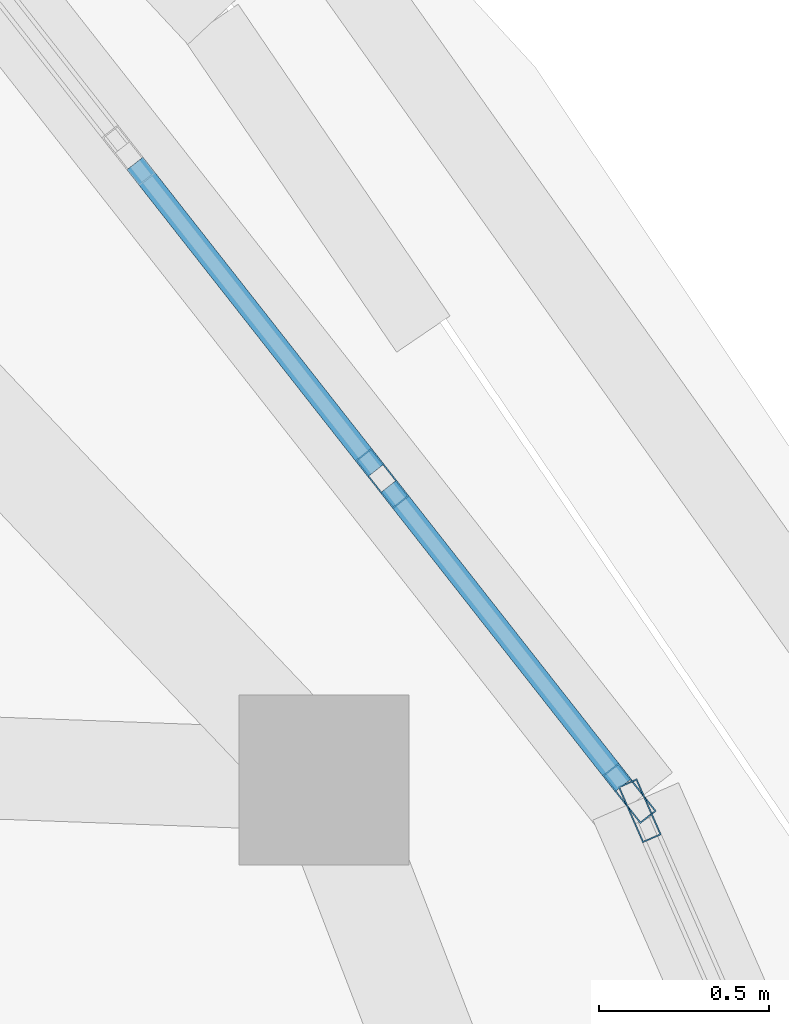
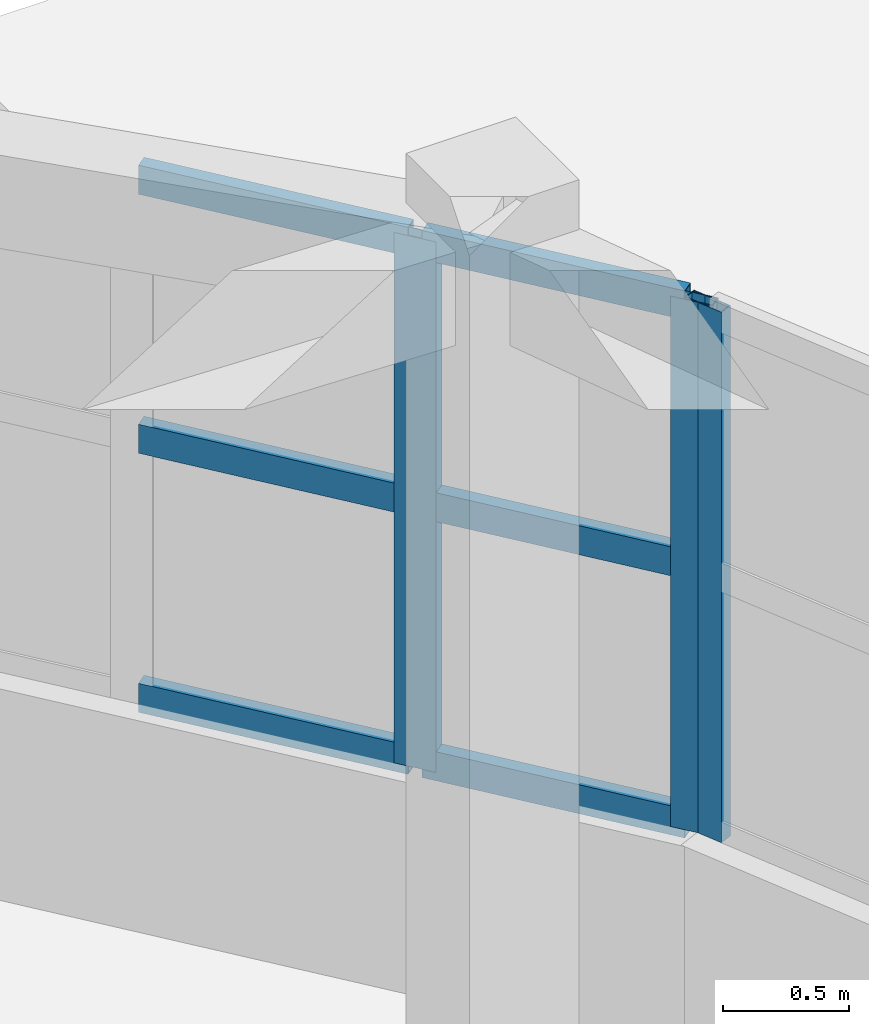
# One storey, part 19 of 38: 9 members, 2 elements without a shape of their own.
"""IFC4 building model written with IfcOpenShell, lengths in metres."""

from ifc_helpers import new_model, si_unit, direction, frame, origin, origin_2d, place, context, subcontext, project, spatial, hollow_rectangle, extrude, material, layer, layer_set, material_profile, profile_set, type_object, element, aggregate, save


model = new_model("IFC4")

# Units and contexts
model_context = context("Model", 3, precision=1e-05, world=origin(), true_north=direction((0.0, 1.0)))
body_context = subcontext(model_context, "Body", "Model", "MODEL_VIEW")
ifc_project = project(units=[si_unit("LENGTHUNIT", "METRE"), si_unit("AREAUNIT", "SQUARE_METRE"), si_unit("VOLUMEUNIT", "CUBIC_METRE"), si_unit("PLANEANGLEUNIT", "RADIAN"), si_unit("MASSUNIT", "GRAM", prefix="KILO")], contexts=[model_context])

# Site, building, storey
site_placement = place(None, origin())
site = spatial("IfcSite", under=ifc_project, at=site_placement, CompositionType="ELEMENT")
building_placement = place(site_placement, origin())
building = spatial("IfcBuilding", under=site, at=building_placement, Name="Pelvatis Terrace Science Centre", CompositionType="ELEMENT")
storey_placement = place(building_placement, frame((0.0, 0.0, 24.300048828125)))
storey = spatial("IfcBuildingStorey", under=building, at=storey_placement, Name="L05", CompositionType="ELEMENT", Elevation=24.300048828125)

# Curtain wall, member
ifc_material_1 = material(Name="Bronze-anodised aluminium and laminated glass", Category="aluminium")
ifc_layer = layer(ifc_material_1, 0.179931640625)
ifc_layer_set = layer_set([ifc_layer], Name="Bronze-anodised aluminium and laminated glass")
curtain_wall_type = type_object("IfcCurtainWallType", Name="CW-RIBBON-A", PredefinedType="NOTDEFINED", material=ifc_layer_set)
curtain_wall_1_placement = place(storey_placement, origin())
curtain_wall_1 = element("IfcCurtainWall", 1, at=curtain_wall_1_placement, inside=storey, type_object=curtain_wall_type, Name="Ribbon curtain wall CW-238 (L05)", PredefinedType="NOTDEFINED")
ifc_material_2 = material(Name="Bronze-anodised aluminium 6063-T6", Category="aluminium")
ifc_material_profile_1 = material_profile(ifc_material_2, hollow_rectangle(XDim=0.06005859375, YDim=0.179931640625, WallThickness=0.00390625, at=origin_2d()), Name="ALU-MUL 60x180")
ifc_profile_set_1 = profile_set([ifc_material_profile_1], Name="Bronze-anodised aluminium 6063-T6")
member_type_1 = type_object("IfcMemberType", Name="CWM-60x180", PredefinedType="MULLION", material=ifc_profile_set_1)
member_1_placement = place(storey_placement, frame((131.78125, 93.871826171875, 1.02001953125), z_axis=(0.0, 0.0, 1.0), x_axis=(-0.916274899341, -0.400550007911, 0.0)))
member_1 = element("IfcMember", 2, at=member_1_placement, type_object=member_type_1, Name="CW-238 mullion 4", PredefinedType="MULLION", context=body_context, shape_type="SweptSolid", body=[
    extrude(hollow_rectangle(XDim=0.06005859375, YDim=0.179931640625, WallThickness=0.00390625, at=origin_2d()), origin(), (0.0, 0.0, 1.0), 2.559814453125),
])
aggregate(curtain_wall_1, [member_1])

# Curtain wall, members
curtain_wall_2_placement = place(storey_placement, origin())
curtain_wall_2 = element("IfcCurtainWall", 3, at=curtain_wall_2_placement, inside=storey, type_object=curtain_wall_type, Name="Ribbon curtain wall CW-239 (L05)", PredefinedType="NOTDEFINED")
member_2_placement = place(storey_placement, frame((131.750732421875, 93.923095703125, 1.02001953125), z_axis=(0.0, 0.0, 1.0), x_axis=(-0.786576740286, -0.617492535697, 0.0)))
member_2 = element("IfcMember", 4, at=member_2_placement, type_object=member_type_1, Name="CW-239 mullion 1", PredefinedType="MULLION", context=body_context, shape_type="SweptSolid", body=[
    extrude(hollow_rectangle(XDim=0.06005859375, YDim=0.179931640625, WallThickness=0.00390625, at=origin_2d()), origin(), (0.0, 0.0, 1.0), 2.559814453125),
])
member_3_placement = place(storey_placement, frame((131.023193359375, 94.849853515625, 1.02001953125), z_axis=(0.0, 0.0, 1.0), x_axis=(-0.786576740286, -0.617492535697, 0.0)))
member_3 = element("IfcMember", 5, at=member_3_placement, type_object=member_type_1, Name="CW-239 mullion 2", PredefinedType="MULLION", context=body_context, shape_type="SweptSolid", body=[
    extrude(hollow_rectangle(XDim=0.06005859375, YDim=0.179931640625, WallThickness=0.00390625, at=origin_2d()), origin(), (0.0, 0.0, 1.0), 2.559814453125),
])
ifc_material_3 = material(Name="Bronze-anodised aluminium 6063-T6", Category="aluminium")
ifc_material_profile_2 = material_profile(ifc_material_3, hollow_rectangle(XDim=0.06005859375, YDim=0.139892578125, WallThickness=0.00390625, at=origin_2d()), Name="ALU-TRN 60x140")
ifc_profile_set_2 = profile_set([ifc_material_profile_2], Name="Bronze-anodised aluminium 6063-T6")
member_type_2 = type_object("IfcMemberType", Name="CWT-60x140", PredefinedType="USERDEFINED", material=ifc_profile_set_2)
member_4_placement = place(storey_placement, frame((131.732177734375, 93.946533203125, 1.050048828125), z_axis=(-0.617426145244, 0.786628854778, 0.0), x_axis=(-0.786628854778, -0.617426145244, 0.0)))
member_4 = element("IfcMember", 6, at=member_4_placement, type_object=member_type_2, Name="CW-239 transom 1.1", ObjectType="TRANSOM", PredefinedType="USERDEFINED", context=body_context, shape_type="SweptSolid", body=[
    extrude(hollow_rectangle(XDim=0.06005859375, YDim=0.139892578125, WallThickness=0.00390625, at=origin_2d()), origin(), (0.0, 0.0, 1.0), 1.1181640625),
])
member_5_placement = place(storey_placement, frame((131.732177734375, 93.946533203125, 2.300048828125), z_axis=(-0.617426145244, 0.786628854778, 0.0), x_axis=(-0.786628854778, -0.617426145244, 0.0)))
member_5 = element("IfcMember", 7, at=member_5_placement, type_object=member_type_2, Name="CW-239 transom 1.2", ObjectType="TRANSOM", PredefinedType="USERDEFINED", context=body_context, shape_type="SweptSolid", body=[
    extrude(hollow_rectangle(XDim=0.06005859375, YDim=0.139892578125, WallThickness=0.00390625, at=origin_2d()), origin(), (0.0, 0.0, 1.0), 1.1181640625),
])
member_6_placement = place(storey_placement, frame((131.732177734375, 93.946533203125, 3.550048828125), z_axis=(-0.617426145244, 0.786628854778, 0.0), x_axis=(-0.786628854778, -0.617426145244, 0.0)))
member_6 = element("IfcMember", 8, at=member_6_placement, type_object=member_type_2, Name="CW-239 transom 1.3", ObjectType="TRANSOM", PredefinedType="USERDEFINED", context=body_context, shape_type="SweptSolid", body=[
    extrude(hollow_rectangle(XDim=0.06005859375, YDim=0.139892578125, WallThickness=0.00390625, at=origin_2d()), origin(), (0.0, 0.0, 1.0), 1.1181640625),
])
member_7_placement = place(storey_placement, frame((131.004638671875, 94.873291015625, 1.050048828125), z_axis=(-0.617408326584, 0.786642840344, 0.0), x_axis=(-0.786642840344, -0.617408326584, 0.0)))
member_7 = element("IfcMember", 9, at=member_7_placement, type_object=member_type_2, Name="CW-239 transom 2.1", ObjectType="TRANSOM", PredefinedType="USERDEFINED", context=body_context, shape_type="SweptSolid", body=[
    extrude(hollow_rectangle(XDim=0.06005859375, YDim=0.139892578125, WallThickness=0.00390625, at=origin_2d()), origin(), (0.0, 0.0, 1.0), 1.1484375),
])
member_8_placement = place(storey_placement, frame((131.004638671875, 94.873291015625, 2.300048828125), z_axis=(-0.617408326584, 0.786642840344, 0.0), x_axis=(-0.786642840344, -0.617408326584, 0.0)))
member_8 = element("IfcMember", 10, at=member_8_placement, type_object=member_type_2, Name="CW-239 transom 2.2", ObjectType="TRANSOM", PredefinedType="USERDEFINED", context=body_context, shape_type="SweptSolid", body=[
    extrude(hollow_rectangle(XDim=0.06005859375, YDim=0.139892578125, WallThickness=0.00390625, at=origin_2d()), origin(), (0.0, 0.0, 1.0), 1.1484375),
])
member_9_placement = place(storey_placement, frame((131.004638671875, 94.873291015625, 3.550048828125), z_axis=(-0.617408326584, 0.786642840344, 0.0), x_axis=(-0.786642840344, -0.617408326584, 0.0)))
member_9 = element("IfcMember", 11, at=member_9_placement, type_object=member_type_2, Name="CW-239 transom 2.3", ObjectType="TRANSOM", PredefinedType="USERDEFINED", context=body_context, shape_type="SweptSolid", body=[
    extrude(hollow_rectangle(XDim=0.06005859375, YDim=0.139892578125, WallThickness=0.00390625, at=origin_2d()), origin(), (0.0, 0.0, 1.0), 1.1484375),
])
aggregate(curtain_wall_2, [member_2, member_3, member_4, member_5, member_6, member_7, member_8, member_9])

save(model, "model.ifc")
